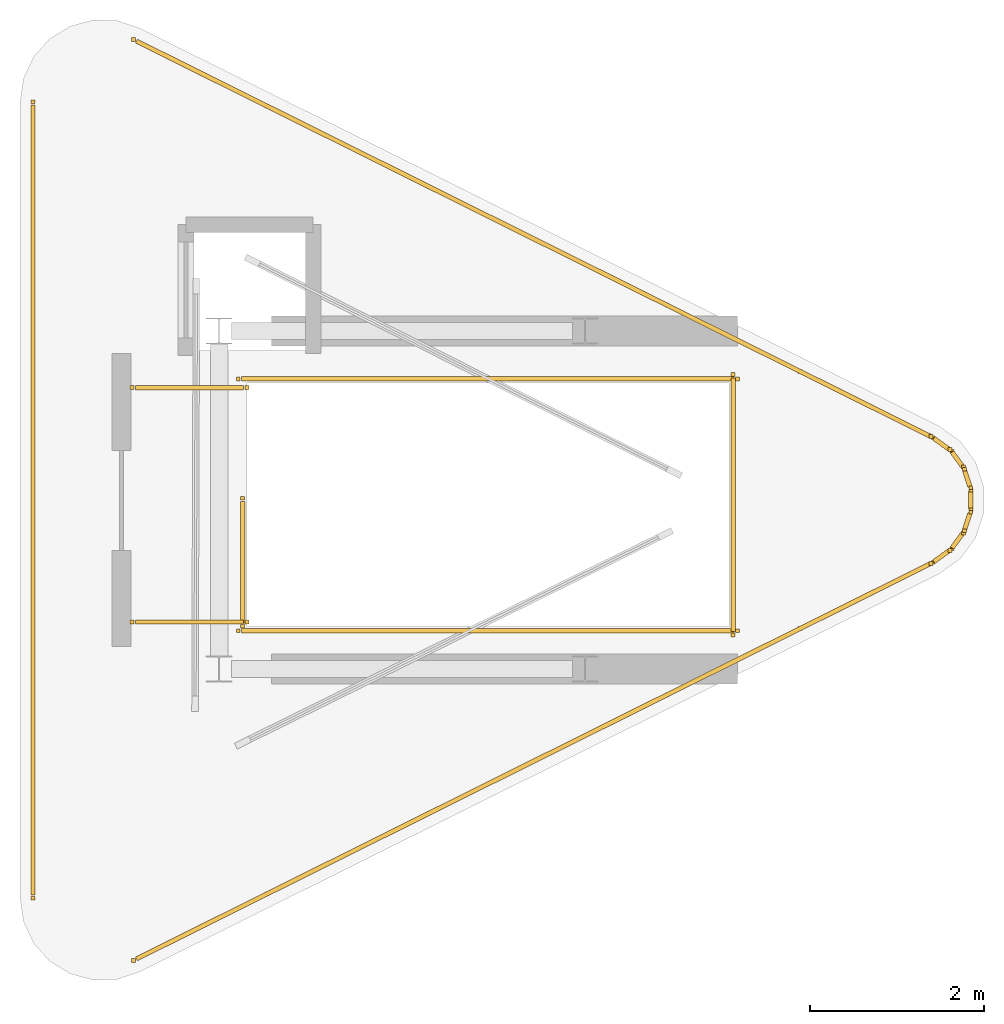
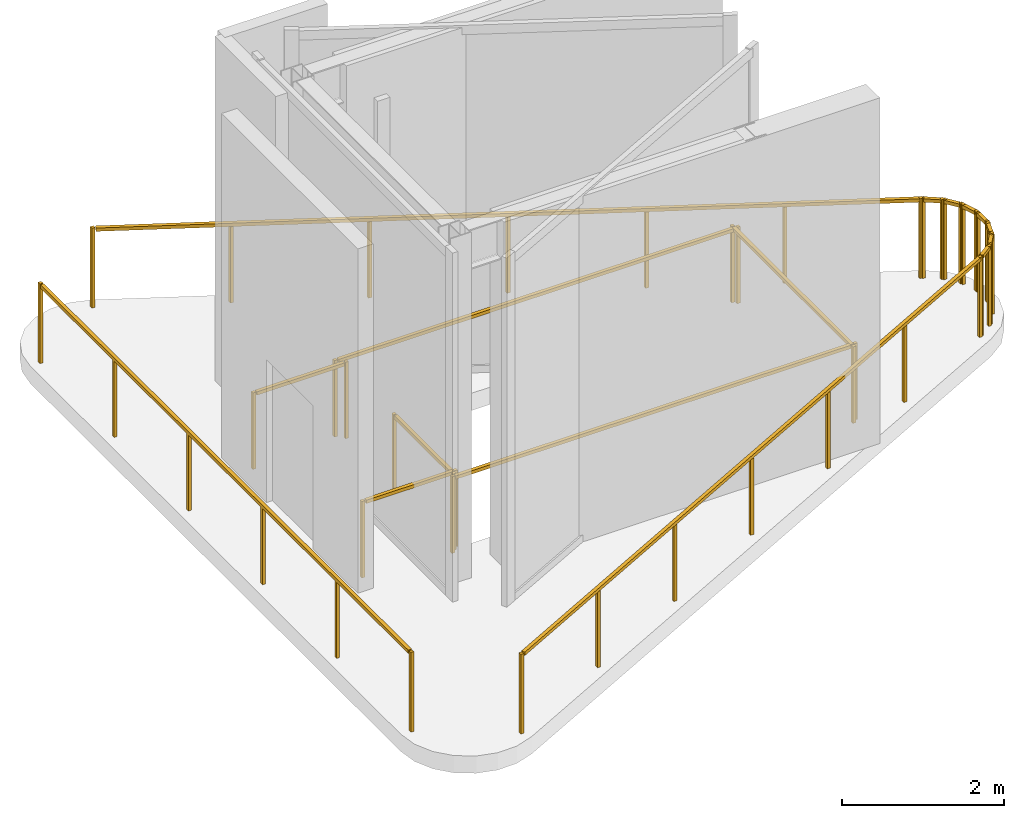
# One storey, part 2 of 2: 16 railings.
"""IFC4 building model written with IfcOpenShell, lengths in metres."""

from ifc_helpers import new_model, si_unit, direction, frame, origin, origin_2d, place, context, subcontext, project, spatial, rectangle, extrude, material, type_object, element, save


model = new_model("IFC4")

# Units and contexts
model_context = context("Model", 3, precision=1e-05, world=origin(), true_north=direction((0.0, 1.0)))
body_context = subcontext(model_context, "Body", "Model", "MODEL_VIEW")
ifc_project = project(units=[si_unit("LENGTHUNIT", "METRE"), si_unit("AREAUNIT", "SQUARE_METRE"), si_unit("VOLUMEUNIT", "CUBIC_METRE"), si_unit("PLANEANGLEUNIT", "RADIAN"), si_unit("MASSUNIT", "GRAM", prefix="KILO")], contexts=[model_context])

# Site, building, storey
site_placement = place(None, origin())
site = spatial("IfcSite", under=ifc_project, at=site_placement, CompositionType="ELEMENT")
building_placement = place(site_placement, origin())
building = spatial("IfcBuilding", under=site, at=building_placement, Name="Yunling Apex Tower", CompositionType="ELEMENT")
storey_placement = place(building_placement, frame((0.0, 0.0, 343.85009765625)))
storey = spatial("IfcBuildingStorey", under=building, at=storey_placement, Name="C06", CompositionType="ELEMENT", Elevation=343.85009765625)

# Railings
ifc_material_1 = material(Name="Bronze anodised aluminium", Category="aluminium")
railing_type_1 = type_object("IfcRailingType", Name="RL-BAL-1200", PredefinedType="BALUSTRADE", material=ifc_material_1)
railing_1_placement = place(storey_placement, frame((-3.935302734375, -4.570068359375, 0.0)))
element("IfcRailing", 1, at=railing_1_placement, inside=storey, type_object=railing_type_1, Name="RL-CRN-PERIM-C06-01", PredefinedType="BALUSTRADE", context=body_context, shape_type="SweptSolid", body=[
    extrude(rectangle(XDim=0.0439453125, YDim=0.0439453125, at=origin_2d()), origin(), (0.0, 0.0, 1.0), 1.199951171875),
    extrude(rectangle(XDim=0.0439453125, YDim=0.0439453125, at=origin_2d()), frame((0.0, 9.14013671875, 0.0)), (0.0, 0.0, 1.0), 1.199951171875),
    extrude(rectangle(XDim=0.050048828125, YDim=0.050048828125, at=origin_2d()), frame((0.0, 0.038330078125, 1.1748046875), z_axis=(0.0, 1.0, 0.0), x_axis=(-1.0, 0.0, 0.0)), (0.0, 0.0, 1.0), 9.0634765625),
    extrude(rectangle(XDim=0.0439453125, YDim=0.0439453125, at=origin_2d()), frame((0.0, 1.828125, 0.0)), (0.0, 0.0, 1.0), 1.14599609375),
    extrude(rectangle(XDim=0.0439453125, YDim=0.0439453125, at=origin_2d()), frame((0.0, 3.656005859375, 0.0)), (0.0, 0.0, 1.0), 1.14599609375),
    extrude(rectangle(XDim=0.0439453125, YDim=0.0439453125, at=origin_2d()), frame((0.0, 5.484130859375, 0.0)), (0.0, 0.0, 1.0), 1.14599609375),
    extrude(rectangle(XDim=0.0439453125, YDim=0.0439453125, at=origin_2d()), frame((0.0, 7.31201171875, 0.0)), (0.0, 0.0, 1.0), 1.14599609375),
])
railing_2_placement = place(storey_placement, frame((-2.782470703125, 5.283935546875, 0.0)))
element("IfcRailing", 2, at=railing_2_placement, inside=storey, type_object=railing_type_1, Name="RL-CRN-PERIM-C06-09", PredefinedType="BALUSTRADE", context=body_context, shape_type="SweptSolid", body=[
    extrude(rectangle(XDim=0.0439453125, YDim=0.0439453125, at=origin_2d()), origin(), (0.0, 0.0, 1.0), 1.199951171875),
    extrude(rectangle(XDim=0.0439453125, YDim=0.0439453125, at=origin_2d()), frame((9.18017578125, -4.569091796875, 0.0)), (0.0, 0.0, 1.0), 1.199951171875),
    extrude(rectangle(XDim=0.050048828125, YDim=0.050048828125, at=origin_2d()), frame((0.034423828125, -0.01708984375, 1.1748046875), z_axis=(0.895244701193, -0.44557482535, 0.0), x_axis=(0.44557482535, 0.895244701193, 0.0)), (0.0, 0.0, 1.0), 10.177734375),
    extrude(rectangle(XDim=0.0439453125, YDim=0.0439453125, at=origin_2d()), frame((1.530029296875, -0.761474609375, 0.0)), (0.0, 0.0, 1.0), 1.14599609375),
    extrude(rectangle(XDim=0.0439453125, YDim=0.0439453125, at=origin_2d()), frame((3.06005859375, -1.52294921875, 0.0)), (0.0, 0.0, 1.0), 1.14599609375),
    extrude(rectangle(XDim=0.0439453125, YDim=0.0439453125, at=origin_2d()), frame((4.590087890625, -2.28466796875, 0.0)), (0.0, 0.0, 1.0), 1.14599609375),
    extrude(rectangle(XDim=0.0439453125, YDim=0.0439453125, at=origin_2d()), frame((6.1201171875, -3.046142578125, 0.0)), (0.0, 0.0, 1.0), 1.14599609375),
    extrude(rectangle(XDim=0.0439453125, YDim=0.0439453125, at=origin_2d()), frame((7.650146484375, -3.8076171875, 0.0)), (0.0, 0.0, 1.0), 1.14599609375),
])
railing_3_placement = place(storey_placement, frame((6.372314453125, 0.730224609375, 0.0)))
element("IfcRailing", 3, at=railing_3_placement, inside=storey, type_object=railing_type_1, Name="RL-CRN-PERIM-C06-10", PredefinedType="BALUSTRADE", context=body_context, shape_type="SweptSolid", body=[
    extrude(rectangle(XDim=0.0439453125, YDim=0.0439453125, at=origin_2d()), origin(), (0.0, 0.0, 1.0), 1.199951171875),
    extrude(rectangle(XDim=0.0439453125, YDim=0.0439453125, at=origin_2d()), frame((0.239013671875, -0.170654296875, 0.0)), (0.0, 0.0, 1.0), 1.199951171875),
    extrude(rectangle(XDim=0.050048828125, YDim=0.050048828125, at=origin_2d()), frame((0.03125, -0.022216796875, 1.1748046875), z_axis=(0.813845794273, -0.581080909292, 0.0), x_axis=(0.581080909292, 0.813845794273, 0.0)), (0.0, 0.0, 1.0), 0.217041015625),
])
railing_4_placement = place(storey_placement, frame((6.590087890625, 0.580322265625, 0.0)))
element("IfcRailing", 4, at=railing_4_placement, inside=storey, type_object=railing_type_1, Name="RL-CRN-PERIM-C06-11", PredefinedType="BALUSTRADE", context=body_context, shape_type="SweptSolid", body=[
    extrude(rectangle(XDim=0.0439453125, YDim=0.0439453125, at=origin_2d()), origin(), (0.0, 0.0, 1.0), 1.199951171875),
    extrude(rectangle(XDim=0.0439453125, YDim=0.0439453125, at=origin_2d()), frame((0.1669921875, -0.227294921875, 0.0)), (0.0, 0.0, 1.0), 1.199951171875),
    extrude(rectangle(XDim=0.050048828125, YDim=0.050048828125, at=origin_2d()), frame((0.022705078125, -0.031005859375, 1.1748046875), z_axis=(0.592076433961, -0.805881812891, 0.0), x_axis=(0.805881812891, 0.592076433961, 0.0)), (0.0, 0.0, 1.0), 0.205322265625),
])
railing_5_placement = place(storey_placement, frame((6.74365234375, 0.37939453125, 0.0)))
element("IfcRailing", 5, at=railing_5_placement, inside=storey, type_object=railing_type_1, Name="RL-CRN-PERIM-C06-12", PredefinedType="BALUSTRADE", context=body_context, shape_type="SweptSolid", body=[
    extrude(rectangle(XDim=0.0439453125, YDim=0.0439453125, at=origin_2d()), origin(), (0.0, 0.0, 1.0), 1.199951171875),
    extrude(rectangle(XDim=0.0439453125, YDim=0.0439453125, at=origin_2d()), frame((0.087646484375, -0.267578125, 0.0)), (0.0, 0.0, 1.0), 1.199951171875),
    extrude(rectangle(XDim=0.050048828125, YDim=0.050048828125, at=origin_2d()), frame((0.011962890625, -0.036376953125, 1.1748046875), z_axis=(0.311281128037, -0.950317872782, 0.0), x_axis=(0.950317872782, 0.311281128037, 0.0)), (0.0, 0.0, 1.0), 0.204833984375),
])
railing_6_placement = place(storey_placement, frame((6.82666015625, 0.140869140625, 0.0)))
element("IfcRailing", 6, at=railing_6_placement, inside=storey, type_object=railing_type_1, Name="RL-CRN-PERIM-C06-13", PredefinedType="BALUSTRADE", context=body_context, shape_type="SweptSolid", body=[
    extrude(rectangle(XDim=0.0439453125, YDim=0.0439453125, at=origin_2d()), origin(), (0.0, 0.0, 1.0), 1.199951171875),
    extrude(rectangle(XDim=0.0439453125, YDim=0.0439453125, at=origin_2d()), frame((0.0, -0.28173828125, 0.0)), (0.0, 0.0, 1.0), 1.199951171875),
    extrude(rectangle(XDim=0.050048828125, YDim=0.050048828125, at=origin_2d()), frame((0.0, -0.038330078125, 1.1748046875), z_axis=(0.0, -1.0, 0.0), x_axis=(1.0, 0.0, 0.0)), (0.0, 0.0, 1.0), 0.205078125),
])
railing_7_placement = place(storey_placement, frame((6.831298828125, -0.11181640625, 0.0)))
element("IfcRailing", 7, at=railing_7_placement, inside=storey, type_object=railing_type_1, Name="RL-CRN-PERIM-C06-14", PredefinedType="BALUSTRADE", context=body_context, shape_type="SweptSolid", body=[
    extrude(rectangle(XDim=0.0439453125, YDim=0.0439453125, at=origin_2d()), origin(), (0.0, 0.0, 1.0), 1.199951171875),
    extrude(rectangle(XDim=0.0439453125, YDim=0.0439453125, at=origin_2d()), frame((-0.087646484375, -0.267578125, 0.0)), (0.0, 0.0, 1.0), 1.199951171875),
    extrude(rectangle(XDim=0.050048828125, YDim=0.050048828125, at=origin_2d()), frame((-0.011962890625, -0.036376953125, 1.1748046875), z_axis=(-0.311281128037, -0.950317872782, 0.0), x_axis=(0.950317872782, -0.311281128037, 0.0)), (0.0, 0.0, 1.0), 0.204833984375),
])
railing_8_placement = place(storey_placement, frame((6.757080078125, -0.35302734375, 0.0)))
element("IfcRailing", 8, at=railing_8_placement, inside=storey, type_object=railing_type_1, Name="RL-CRN-PERIM-C06-15", PredefinedType="BALUSTRADE", context=body_context, shape_type="SweptSolid", body=[
    extrude(rectangle(XDim=0.0439453125, YDim=0.0439453125, at=origin_2d()), origin(), (0.0, 0.0, 1.0), 1.199951171875),
    extrude(rectangle(XDim=0.0439453125, YDim=0.0439453125, at=origin_2d()), frame((-0.1669921875, -0.227294921875, 0.0)), (0.0, 0.0, 1.0), 1.199951171875),
    extrude(rectangle(XDim=0.050048828125, YDim=0.050048828125, at=origin_2d()), frame((-0.022705078125, -0.031005859375, 1.1748046875), z_axis=(-0.592076433961, -0.805881812891, 0.0), x_axis=(0.805881812891, -0.592076433961, 0.0)), (0.0, 0.0, 1.0), 0.205322265625),
])
railing_9_placement = place(storey_placement, frame((6.611328125, -0.5595703125, 0.0)))
element("IfcRailing", 9, at=railing_9_placement, inside=storey, type_object=railing_type_1, Name="RL-CRN-PERIM-C06-16", PredefinedType="BALUSTRADE", context=body_context, shape_type="SweptSolid", body=[
    extrude(rectangle(XDim=0.0439453125, YDim=0.0439453125, at=origin_2d()), origin(), (0.0, 0.0, 1.0), 1.199951171875),
    extrude(rectangle(XDim=0.0439453125, YDim=0.0439453125, at=origin_2d()), frame((-0.239013671875, -0.170654296875, 0.0)), (0.0, 0.0, 1.0), 1.199951171875),
    extrude(rectangle(XDim=0.050048828125, YDim=0.050048828125, at=origin_2d()), frame((-0.03125, -0.022216796875, 1.1748046875), z_axis=(-0.813845794273, -0.581080909292, 0.0), x_axis=(0.581080909292, -0.813845794273, 0.0)), (0.0, 0.0, 1.0), 0.217041015625),
])
railing_10_placement = place(storey_placement, frame((6.397705078125, -0.71484375, 0.0)))
element("IfcRailing", 10, at=railing_10_placement, inside=storey, type_object=railing_type_1, Name="RL-CRN-PERIM-C06-17", PredefinedType="BALUSTRADE", context=body_context, shape_type="SweptSolid", body=[
    extrude(rectangle(XDim=0.0439453125, YDim=0.0439453125, at=origin_2d()), origin(), (0.0, 0.0, 1.0), 1.199951171875),
    extrude(rectangle(XDim=0.0439453125, YDim=0.0439453125, at=origin_2d()), frame((-9.18017578125, -4.569091796875, 0.0)), (0.0, 0.0, 1.0), 1.199951171875),
    extrude(rectangle(XDim=0.050048828125, YDim=0.050048828125, at=origin_2d()), frame((-0.034423828125, -0.01708984375, 1.1748046875), z_axis=(-0.895244701193, -0.44557482535, 0.0), x_axis=(0.44557482535, -0.895244701193, 0.0)), (0.0, 0.0, 1.0), 10.177734375),
    extrude(rectangle(XDim=0.0439453125, YDim=0.0439453125, at=origin_2d()), frame((-1.530029296875, -0.761474609375, 0.0)), (0.0, 0.0, 1.0), 1.14599609375),
    extrude(rectangle(XDim=0.0439453125, YDim=0.0439453125, at=origin_2d()), frame((-3.06005859375, -1.52294921875, 0.0)), (0.0, 0.0, 1.0), 1.14599609375),
    extrude(rectangle(XDim=0.0439453125, YDim=0.0439453125, at=origin_2d()), frame((-4.590087890625, -2.28466796875, 0.0)), (0.0, 0.0, 1.0), 1.14599609375),
    extrude(rectangle(XDim=0.0439453125, YDim=0.0439453125, at=origin_2d()), frame((-6.1201171875, -3.046142578125, 0.0)), (0.0, 0.0, 1.0), 1.14599609375),
    extrude(rectangle(XDim=0.0439453125, YDim=0.0439453125, at=origin_2d()), frame((-7.650146484375, -3.8076171875, 0.0)), (0.0, 0.0, 1.0), 1.14599609375),
])
ifc_material_2 = material(Name="Steel Q355B", Category="steel")
railing_type_2 = type_object("IfcRailingType", Name="RL-GRD-1150", PredefinedType="GUARDRAIL", material=ifc_material_2)
railing_11_placement = place(storey_placement, frame((-1.530029296875, -1.449951171875, 0.0)))
element("IfcRailing", 11, at=railing_11_placement, inside=storey, type_object=railing_type_2, Name="C06 ST-C1 top well guard 1", PredefinedType="GUARDRAIL", context=body_context, shape_type="SweptSolid", body=[
    extrude(rectangle(XDim=0.0439453125, YDim=0.0439453125, at=origin_2d()), origin(), (0.0, 0.0, 1.0), 1.14990234375),
    extrude(rectangle(XDim=0.0439453125, YDim=0.0439453125, at=origin_2d()), frame((0.0, 1.469970703125, 0.0)), (0.0, 0.0, 1.0), 1.14990234375),
    extrude(rectangle(XDim=0.050048828125, YDim=0.050048828125, at=origin_2d()), frame((0.0, 0.038330078125, 1.125), z_axis=(0.0, 1.0, 0.0), x_axis=(-1.0, 0.0, 0.0)), (0.0, 0.0, 1.0), 1.393310546875),
])
for number, where, name in (
    (12, (-1.580078125, -1.5, 0.0), "C06 ST-C1 top well guard 2"),
    (13, (-1.580078125, 1.389892578125, 0.0), "C06 ST-C1 top well guard 3"),
):
    element("IfcRailing", number, at=place(storey_placement, frame(where)), inside=storey, type_object=railing_type_2, Name=name, PredefinedType="GUARDRAIL", context=body_context, shape_type="SweptSolid", body=[
        extrude(rectangle(XDim=0.0439453125, YDim=0.0439453125, at=origin_2d()), origin(), (0.0, 0.0, 1.0), 1.14990234375),
        extrude(rectangle(XDim=0.0439453125, YDim=0.0439453125, at=origin_2d()), frame((5.72998046875, 0.0, 0.0)), (0.0, 0.0, 1.0), 1.14990234375),
        extrude(rectangle(XDim=0.050048828125, YDim=0.050048828125, at=origin_2d()), frame((0.038330078125, 0.0, 1.125), z_axis=(1.0, 0.0, 0.0), x_axis=(0.0, 1.0, 0.0)), (0.0, 0.0, 1.0), 5.6533203125),
    ])
railing_12_placement = place(storey_placement, frame((4.10009765625, -1.550048828125, 0.0)))
element("IfcRailing", 14, at=railing_12_placement, inside=storey, type_object=railing_type_2, Name="C06 ST-C1 top well guard 4", PredefinedType="GUARDRAIL", context=body_context, shape_type="SweptSolid", body=[
    extrude(rectangle(XDim=0.0439453125, YDim=0.0439453125, at=origin_2d()), origin(), (0.0, 0.0, 1.0), 1.14990234375),
    extrude(rectangle(XDim=0.0439453125, YDim=0.0439453125, at=origin_2d()), frame((0.0, 2.989990234375, 0.0)), (0.0, 0.0, 1.0), 1.14990234375),
    extrude(rectangle(XDim=0.050048828125, YDim=0.050048828125, at=origin_2d()), frame((0.0, 0.038330078125, 1.125), z_axis=(0.0, 1.0, 0.0), x_axis=(-1.0, 0.0, 0.0)), (0.0, 0.0, 1.0), 2.913330078125),
])
for number, where, name in (
    (15, (-2.800048828125, -1.39990234375, 0.0), "C06 ST-C1 top well guard 5"),
    (16, (-2.800048828125, 1.2900390625, 0.0), "C06 ST-C1 top well guard 6"),
):
    element("IfcRailing", number, at=place(storey_placement, frame(where)), inside=storey, type_object=railing_type_2, Name=name, PredefinedType="GUARDRAIL", context=body_context, shape_type="SweptSolid", body=[
        extrude(rectangle(XDim=0.0439453125, YDim=0.0439453125, at=origin_2d()), origin(), (0.0, 0.0, 1.0), 1.14990234375),
        extrude(rectangle(XDim=0.0439453125, YDim=0.0439453125, at=origin_2d()), frame((1.320068359375, 0.0, 0.0)), (0.0, 0.0, 1.0), 1.14990234375),
        extrude(rectangle(XDim=0.050048828125, YDim=0.050048828125, at=origin_2d()), frame((0.038330078125, 0.0, 1.125), z_axis=(1.0, 0.0, 0.0), x_axis=(0.0, 1.0, 0.0)), (0.0, 0.0, 1.0), 1.243408203125),
    ])

save(model, "model.ifc")
